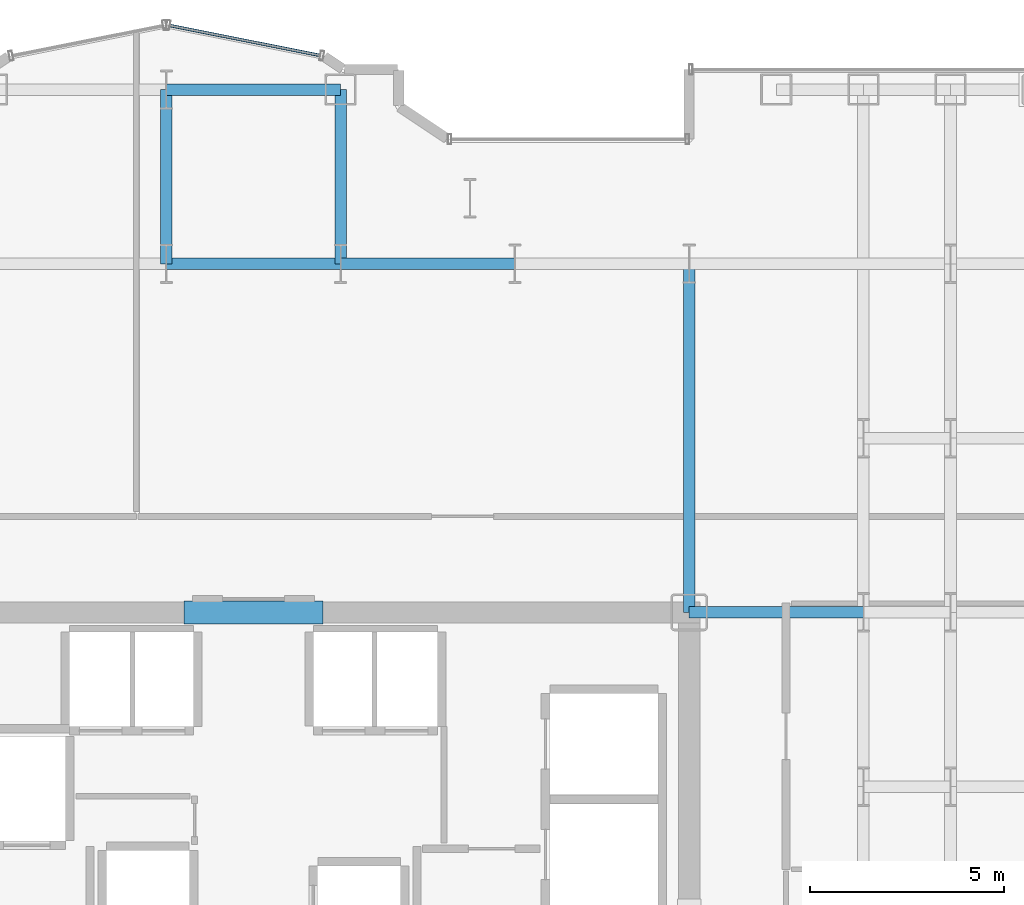
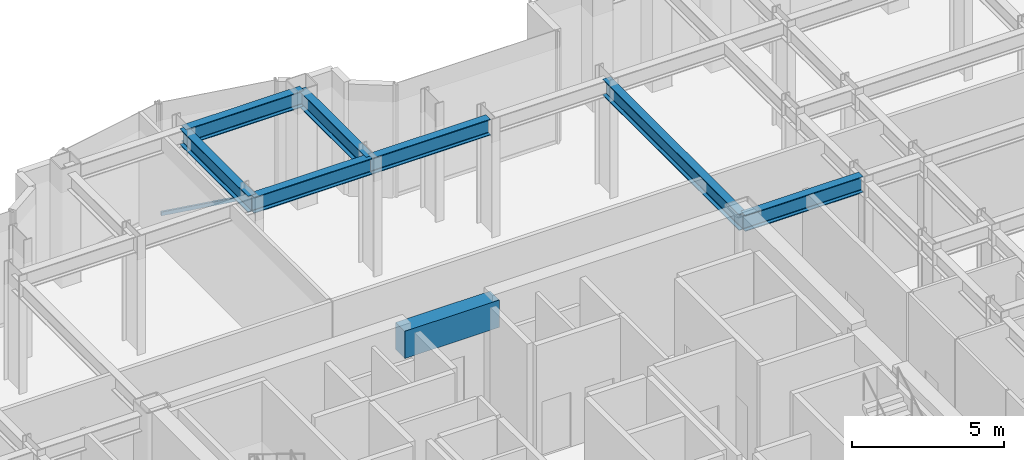
# One storey, part 11 of 27: 8 beams, 1 member, 1 element without a shape of its own.
"""IFC4 building model written with IfcOpenShell, lengths in metres."""

from ifc_helpers import new_model, si_unit, direction, frame, origin, origin_2d, place, context, subcontext, project, spatial, rectangle, hollow_rectangle, i_section, extrude, source, transform, mapped, material, layer, layer_set, material_profile, profile_set, type_object, element, aggregate, save


model = new_model("IFC4")

# Units and contexts
model_context = context("Model", 3, precision=1e-05, world=origin(), true_north=direction((0.0, 1.0)))
body_context = subcontext(model_context, "Body", "Model", "MODEL_VIEW")
ifc_project = project(units=[si_unit("LENGTHUNIT", "METRE"), si_unit("AREAUNIT", "SQUARE_METRE"), si_unit("VOLUMEUNIT", "CUBIC_METRE"), si_unit("PLANEANGLEUNIT", "RADIAN"), si_unit("MASSUNIT", "GRAM", prefix="KILO")], contexts=[model_context])

# Site, building, storey
site_placement = place(None, origin())
site = spatial("IfcSite", under=ifc_project, at=site_placement, CompositionType="ELEMENT")
building_placement = place(site_placement, origin())
building = spatial("IfcBuilding", under=site, at=building_placement, Name="Nefas-Gora Pilgrimage Tower", CompositionType="ELEMENT")
storey_placement = place(building_placement, frame((0.0, 0.0, 144.0)))
storey = spatial("IfcBuildingStorey", under=building, at=storey_placement, Name="L35", CompositionType="ELEMENT", Elevation=144.0)

# Beams
ifc_material_1 = material(Name="Concrete C60/75", Category="concrete")
ifc_material_profile_1 = material_profile(ifc_material_1, rectangle(XDim=0.60009765625, YDim=1.10009765625, at=origin_2d()), Name="RC 600x1100")
ifc_profile_set_1 = profile_set([ifc_material_profile_1], Name="Concrete C60/75")
beam_type_1 = type_object("IfcBeamType", Name="BM-LIN-RC1100", PredefinedType="LINTEL", material=ifc_profile_set_1)
shared_shape_1 = source(origin(), body_context, "Body", "SweptSolid", [
    extrude(rectangle(XDim=0.60009765625, YDim=1.10009765625, at=origin_2d()), origin(), (0.0, 0.0, 1.0), 3.60009765625),
])
beam_1_placement = place(storey_placement, frame((-1.800048828125, 9.0, 4.0), z_axis=(1.0, 0.0, 0.0), x_axis=(0.0, 1.0, 0.0)))
element("IfcBeam", 1, at=beam_1_placement, inside=storey, type_object=beam_type_1, Name="L35 Core Coupling Lintel Beam N", PredefinedType="LINTEL", context=body_context, shape_type="MappedRepresentation", body=[
    mapped(shared_shape_1, transform((0.0, 0.0, 0.0), x_axis=(1.0, 0.0, 0.0), y_axis=(0.0, 1.0, 0.0), z_axis=(0.0, 0.0, 1.0), scale=1.0)),
])
ifc_material_2 = material(Name="Steel S355", Category="steel")
ifc_material_profile_2 = material_profile(ifc_material_2, i_section(OverallWidth=0.300048828125, OverallDepth=0.64990234375, WebThickness=0.01611328125, FlangeThickness=0.031005859375, FilletRadius=0.027099609375, at=origin_2d()), Name="HEB 650")
ifc_profile_set_2 = profile_set([ifc_material_profile_2], Name="Steel S355")
beam_type_2 = type_object("IfcBeamType", Name="BM-GIR-HEB650", PredefinedType="BEAM", material=ifc_profile_set_2)
shared_shape_2 = source(origin(), body_context, "Body", "SweptSolid", [
    extrude(i_section(OverallWidth=0.300048828125, OverallDepth=0.64990234375, WebThickness=0.01611328125, FlangeThickness=0.031005859375, FilletRadius=0.027099609375, at=origin_2d()), origin(), (0.0, 0.0, 1.0), 9.0),
])
beam_2_placement = place(storey_placement, frame((11.25, 9.0, 4.22509765625), z_axis=(0.0, 1.0, 0.0), x_axis=(-1.0, 0.0, 0.0)))
element("IfcBeam", 2, at=beam_2_placement, inside=storey, type_object=beam_type_2, Name="L35 G-03 beam", PredefinedType="BEAM", context=body_context, shape_type="MappedRepresentation", body=[
    mapped(shared_shape_2, transform((0.0, 0.0, 0.0), x_axis=(1.0, 0.0, 0.0), y_axis=(0.0, 1.0, 0.0), z_axis=(0.0, 0.0, 1.0), scale=1.0)),
])
shared_shape_3 = source(origin(), body_context, "Body", "SweptSolid", [
    extrude(i_section(OverallWidth=0.300048828125, OverallDepth=0.64990234375, WebThickness=0.01611328125, FlangeThickness=0.031005859375, FilletRadius=0.027099609375, at=origin_2d()), origin(), (0.0, 0.0, 1.0), 4.5),
])
for number, where, z_axis, x_axis, name in (
    (3, (-2.25, 18.0, 4.22509765625), (0.0, 1.0, 0.0), (-1.0, 0.0, 0.0), "L35 G-03 beam"),
    (4, (-2.25, 18.0, 4.22509765625), (1.0, 0.0, 0.0), (0.0, 1.0, 0.0), "L35 G-03 beam"),
    (5, (-2.25, 22.5, 4.22509765625), (1.0, 0.0, 0.0), (0.0, 1.0, 0.0), "L35 G-03 beam"),
    (6, (2.25, 18.0, 4.22509765625), (0.0, 1.0, 0.0), (-1.0, 0.0, 0.0), "L35 G-03 beam"),
    (7, (2.25, 18.0, 4.22509765625), (1.0, 0.0, 0.0), (0.0, 1.0, 0.0), "L35 G-03 beam"),
    (8, (11.25, 9.0, 4.22509765625), (1.0, 0.0, 0.0), (0.0, 1.0, 0.0), "L35 G-03 beam"),
):
    element("IfcBeam", number, at=place(storey_placement, frame(where, z_axis=z_axis, x_axis=x_axis)), inside=storey, type_object=beam_type_2, Name=name, PredefinedType="BEAM", context=body_context, shape_type="MappedRepresentation", body=[
        mapped(shared_shape_3, transform((0.0, 0.0, 0.0), x_axis=(1.0, 0.0, 0.0), y_axis=(0.0, 1.0, 0.0), z_axis=(0.0, 0.0, 1.0), scale=1.0)),
    ])

# Curtain wall, member
ifc_material_3 = material(Name="Dark ceramic-fritted solar-control aluminium-glass curtain wall", Category="aluminium")
ifc_layer = layer(ifc_material_3, 0.219970703125)
ifc_layer_set = layer_set([ifc_layer], Name="Dark ceramic-fritted solar-control aluminium-glass curtain wall")
curtain_wall_type = type_object("IfcCurtainWallType", Name="CW-SYS-5", PredefinedType="NOTDEFINED", material=ifc_layer_set)
curtain_wall_placement = place(storey_placement, origin())
curtain_wall = element("IfcCurtainWall", 9, at=curtain_wall_placement, inside=storey, type_object=curtain_wall_type, Name="L35 Unitised Curtain Wall CW5", PredefinedType="NOTDEFINED")
ifc_material_4 = material(Name="Anodised architectural aluminium", Category="aluminium")
ifc_material_profile_3 = material_profile(ifc_material_4, hollow_rectangle(XDim=0.080078125, YDim=0.159912109375, WallThickness=0.00439453125, InnerFilletRadius=0.00439453125, OuterFilletRadius=0.009033203125, at=origin_2d()), Name="ALU TRANSOM 80x160")
ifc_profile_set_3 = profile_set([ifc_material_profile_3], Name="Anodised architectural aluminium")
member_type = type_object("IfcMemberType", Name="CWM-TRN-5", PredefinedType="USERDEFINED", material=ifc_profile_set_3)
shared_shape_4 = source(origin(), body_context, "Body", "SweptSolid", [
    extrude(hollow_rectangle(XDim=0.080078125, YDim=0.159912109375, WallThickness=0.00439453125, InnerFilletRadius=0.00439453125, OuterFilletRadius=0.009033203125, at=origin_2d()), origin(), (0.0, 0.0, 1.0), 3.95654296875),
])
member_placement = place(storey_placement, frame((1.718994140625, 23.3828125, 0.050048828125), z_axis=(-0.980781880918, 0.195107411605, 0.0), x_axis=(-0.195107411605, -0.980781880918, 0.0)))
member = element("IfcMember", 10, at=member_placement, type_object=member_type, Name="CW5 Spandrel Transom", ObjectType="TRANSOM", PredefinedType="USERDEFINED", context=body_context, shape_type="MappedRepresentation", body=[
    mapped(shared_shape_4, transform((0.0, 0.0, 0.0), x_axis=(1.0, 0.0, 0.0), y_axis=(0.0, 1.0, 0.0), z_axis=(0.0, 0.0, 1.0), scale=1.0)),
])
aggregate(curtain_wall, [member])

save(model, "model.ifc")
